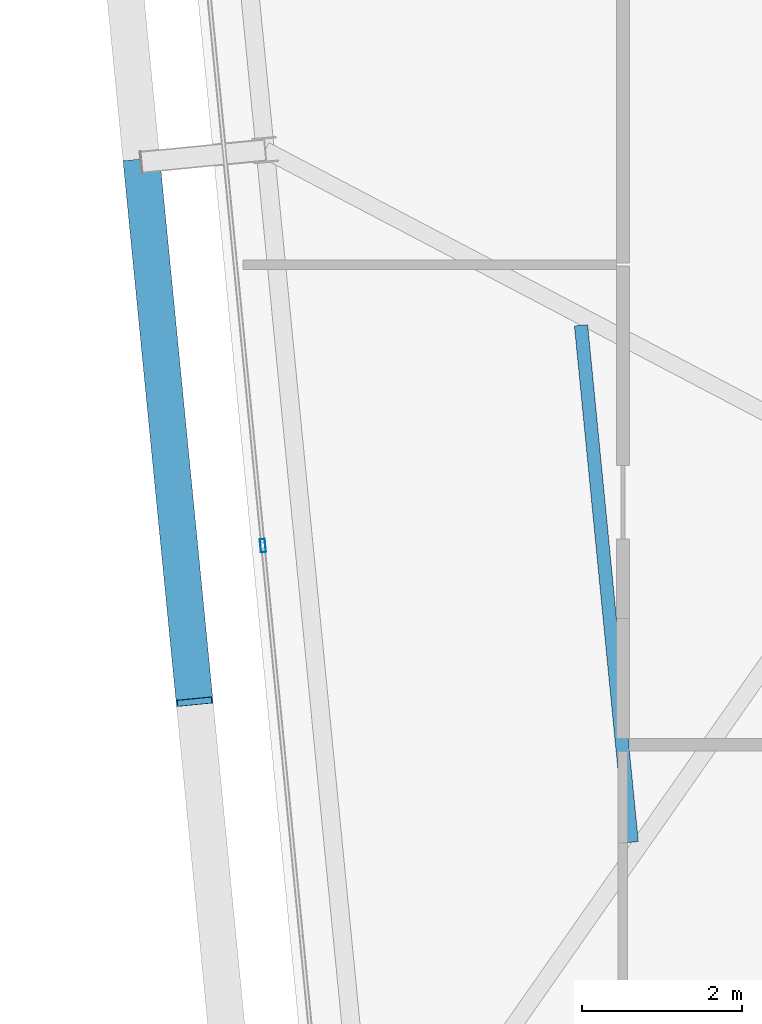
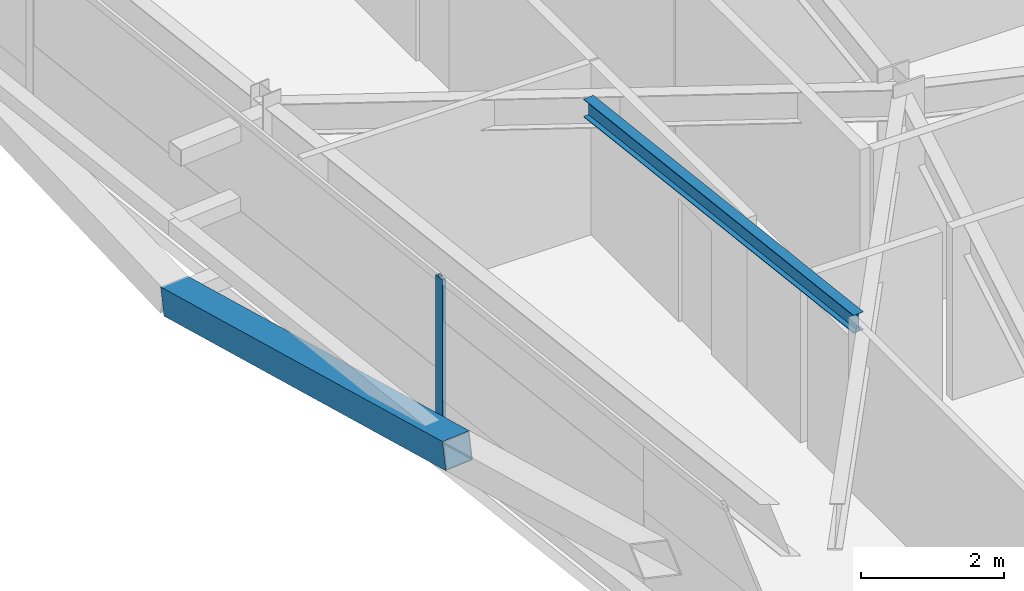
# One storey, part 7 of 47: 2 members, 1 beam, 1 element without a shape of its own.
"""IFC4 building model written with IfcOpenShell, lengths in metres."""

from ifc_helpers import new_model, si_unit, direction, frame, origin, origin_2d, place, context, subcontext, project, spatial, hollow_rectangle, i_section, extrude, source, transform, mapped, material, layer, layer_set, material_profile, profile_set, type_object, element, aggregate, save


model = new_model("IFC4")

# Units and contexts
model_context = context("Model", 3, precision=1e-05, world=origin(), true_north=direction((0.0, 1.0)))
body_context = subcontext(model_context, "Body", "Model", "MODEL_VIEW")
ifc_project = project(units=[si_unit("LENGTHUNIT", "METRE"), si_unit("AREAUNIT", "SQUARE_METRE"), si_unit("VOLUMEUNIT", "CUBIC_METRE"), si_unit("PLANEANGLEUNIT", "RADIAN"), si_unit("MASSUNIT", "GRAM", prefix="KILO")], contexts=[model_context])

# Site, building, storey
site_placement = place(None, origin())
site = spatial("IfcSite", under=ifc_project, at=site_placement, CompositionType="ELEMENT")
building_placement = place(site_placement, origin())
building = spatial("IfcBuilding", under=site, at=building_placement, Name="Taldren Reach Tower", CompositionType="ELEMENT")
storey_placement = place(building_placement, frame((0.0, 0.0, 90.300048828125)))
storey = spatial("IfcBuildingStorey", under=building, at=storey_placement, Name="L27", CompositionType="ELEMENT", Elevation=90.300048828125)

# Beam
ifc_material_1 = material(Name="Steel Gr 300 (300PLUS, 300 MPa)", Category="steel")
ifc_material_profile_1 = material_profile(ifc_material_1, i_section(OverallWidth=0.166015625, OverallDepth=0.306884765625, WebThickness=0.006591796875, FlangeThickness=0.01171875, at=origin_2d()), Name="310UB46.2")
ifc_profile_set_1 = profile_set([ifc_material_profile_1], Name="Steel Gr 300 (300PLUS, 300 MPa)")
beam_type = type_object("IfcBeamType", Name="JS-UB310", PredefinedType="JOIST", material=ifc_profile_set_1)
shared_shape_1 = source(origin(), body_context, "Body", "SweptSolid", [
    extrude(i_section(OverallWidth=0.166015625, OverallDepth=0.306884765625, WebThickness=0.006591796875, FlangeThickness=0.01171875, at=origin_2d()), origin(), (0.0, 0.0, 1.0), 6.489501953125),
])
beam_placement = place(storey_placement, frame((14.710693359375, 7.982666015625, 2.7763671875), z_axis=(-0.097588959486, 0.995226805802, 0.0), x_axis=(-0.995226805802, -0.097588959486, 0.0)))
element("IfcBeam", 1, at=beam_placement, inside=storey, type_object=beam_type, Name="Secondary floor joist B2 J6 L27", PredefinedType="JOIST", context=body_context, shape_type="MappedRepresentation", body=[
    mapped(shared_shape_1, transform((0.0, 0.0, 0.0), scale=1.0)),
])

# Member
ifc_material_2 = material(Name="Steel Gr 450 (C450L0)", Category="steel")
ifc_material_profile_2 = material_profile(ifc_material_2, hollow_rectangle(XDim=0.4599609375, YDim=0.4599609375, WallThickness=0.01611328125, at=origin_2d()), Name="460x460x16.0SHS")
ifc_profile_set_2 = profile_set([ifc_material_profile_2], Name="Steel Gr 450 (C450L0)")
member_type_1 = type_object("IfcMemberType", Name="MB-EXO457", PredefinedType="BRACE", material=ifc_profile_set_2)
shared_shape_2 = source(origin(), body_context, "Body", "SweptSolid", [
    extrude(hollow_rectangle(XDim=0.4599609375, YDim=0.4599609375, WallThickness=0.01611328125, at=origin_2d()), origin(), (0.0, 0.0, 1.0), 6.8828125),
])
member_1_placement = place(storey_placement, frame((8.587890625, 16.479736328125, 0.219970703125), z_axis=(0.096054795712, -0.979595750804, 0.17653793141), x_axis=(0.995226946838, 0.097587521166, 0.0)))
element("IfcMember", 2, at=member_1_placement, inside=storey, type_object=member_type_1, Name="Exoskeleton Diagrid Brace B2-W1 L27", PredefinedType="BRACE", context=body_context, shape_type="MappedRepresentation", body=[
    mapped(shared_shape_2, transform((0.0, 0.0, 0.0), scale=1.0)),
])

# Curtain wall, member
ifc_material_3 = material(Name="Aluminium and Low-E Glass Unitised System", Category="aluminium")
ifc_layer = layer(ifc_material_3, 0.159912109375)
ifc_layer_set = layer_set([ifc_layer], Name="Aluminium and Low-E Glass Unitised System")
curtain_wall_type = type_object("IfcCurtainWallType", Name="CW-SYS-3", PredefinedType="NOTDEFINED", material=ifc_layer_set)
curtain_wall_placement = place(storey_placement, origin())
curtain_wall = element("IfcCurtainWall", 3, at=curtain_wall_placement, inside=storey, type_object=curtain_wall_type, Name="Unitised curtain wall CW-L27-W", PredefinedType="NOTDEFINED")
ifc_material_4 = material(Name="Anodised Aluminium 6063-T6", Category="aluminium")
ifc_material_profile_3 = material_profile(ifc_material_4, hollow_rectangle(XDim=0.06494140625, YDim=0.1650390625, WallThickness=0.00390625, at=origin_2d()), Name="ALU-165x65x4RHS")
ifc_profile_set_3 = profile_set([ifc_material_profile_3], Name="Anodised Aluminium 6063-T6")
member_type_2 = type_object("IfcMemberType", Name="CW-MUL-165", PredefinedType="MULLION", material=ifc_profile_set_3)
shared_shape_3 = source(origin(), body_context, "Body", "SweptSolid", [
    extrude(hollow_rectangle(XDim=0.06494140625, YDim=0.1650390625, WallThickness=0.00390625, at=origin_2d()), origin(), (0.0, 0.0, 1.0), 2.929931640625),
])
member_2_placement = place(storey_placement, frame((10.102783203125, 11.688232421875, 0.0), z_axis=(0.0, 0.0, 1.0), x_axis=(0.99522741555, 0.09758274098, 0.0)))
member_2 = element("IfcMember", 4, at=member_2_placement, type_object=member_type_2, Name="CW-3 mullion 3", PredefinedType="MULLION", context=body_context, shape_type="MappedRepresentation", body=[
    mapped(shared_shape_3, transform((0.0, 0.0, 0.0), scale=1.0)),
])
aggregate(curtain_wall, [member_2])

save(model, "model.ifc")
